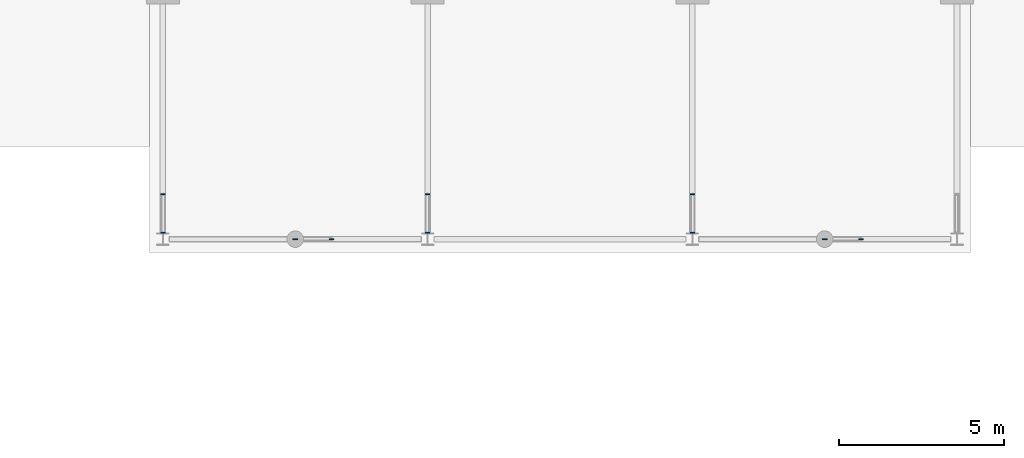
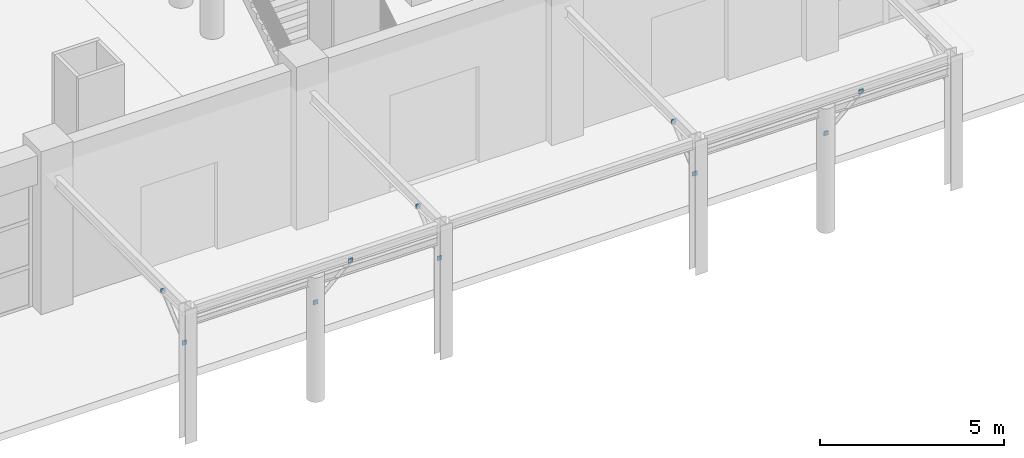
# One storey, part 67 of 95: 10 plates.
"""IFC4 building model written with IfcOpenShell, lengths in metres."""

from ifc_helpers import new_model, si_unit, direction, frame, origin, origin_2d, place, context, subcontext, project, spatial, rectangle, extrude, material, layer, layer_set, type_object, element, save


model = new_model("IFC4")

# Units and contexts
model_context = context("Model", 3, precision=1e-05, world=origin(), true_north=direction((0.0, 1.0)))
body_context = subcontext(model_context, "Body", "Model", "MODEL_VIEW")
ifc_project = project(units=[si_unit("LENGTHUNIT", "METRE"), si_unit("AREAUNIT", "SQUARE_METRE"), si_unit("VOLUMEUNIT", "CUBIC_METRE"), si_unit("PLANEANGLEUNIT", "RADIAN"), si_unit("MASSUNIT", "GRAM", prefix="KILO")], contexts=[model_context])

# Site, building, storey
site_placement = place(None, origin())
site = spatial("IfcSite", under=ifc_project, at=site_placement, CompositionType="ELEMENT")
building_placement = place(site_placement, origin())
building = spatial("IfcBuilding", under=site, at=building_placement, Name="Zantavel Square City Hall", CompositionType="ELEMENT")
storey_placement = place(building_placement, origin())
storey = spatial("IfcBuildingStorey", under=building, at=storey_placement, Name="L01", CompositionType="ELEMENT", Elevation=0.0)

# Plates
ifc_material = material(Name="Steel ASTM A572 Grade 50", Category="steel")
ifc_layer = layer(ifc_material, 0.011962890625, Name="Steel ASTM A572 Grade 50")
ifc_layer_set = layer_set([ifc_layer], Name="Steel ASTM A572 Grade 50")
plate_type = type_object("IfcPlateType", Name="CHS 114 End Cap Plate 12mm", PredefinedType="SHEET", material=ifc_layer_set)
for number, where, z_axis, x_axis, name in (
    (1, (72.0, 22.989990234375, 3.0302734375), (0.0, 0.0, 1.0), (1.0, 0.0, 0.0), "Canopy Strut Cap Plate 72-1"),
    (2, (72.0, 24.14990234375, 4.05517578125), (0.0, 0.0, 1.0), (1.0, 0.0, 0.0), "Canopy Strut Cap Plate 72-2"),
    (3, (80.0, 22.989990234375, 3.0302734375), (0.0, 0.0, 1.0), (1.0, 0.0, 0.0), "Canopy Strut Cap Plate 80-1"),
    (4, (80.0, 24.14990234375, 4.05517578125), (0.0, 0.0, 1.0), (1.0, 0.0, 0.0), "Canopy Strut Cap Plate 80-2"),
    (5, (88.0, 22.989990234375, 3.0302734375), (0.0, 0.0, 1.0), (1.0, 0.0, 0.0), "Canopy Strut Cap Plate 88-1"),
    (6, (88.0, 24.14990234375, 4.05517578125), (0.0, 0.0, 1.0), (1.0, 0.0, 0.0), "Canopy Strut Cap Plate 88-2"),
    (7, (76.0, 22.800048828125, 3.080078125), (0.0, 0.0, 1.0), (1.0, 0.0, 0.0), "Portico Strut Cap 76-1"),
    (8, (77.10009765625, 22.800048828125, 4.0869140625), (0.0, 0.0, 1.0), (1.0, 0.0, 0.0), "Portico Strut Cap 76-2"),
    (9, (92.0, 22.800048828125, 3.080078125), (0.0, 0.0, 1.0), (1.0, 0.0, 0.0), "Portico Strut Cap 92-1"),
    (10, (93.10009765625, 22.800048828125, 4.0869140625), (0.0, 0.0, 1.0), (1.0, 0.0, 0.0), "Portico Strut Cap 92-2"),
):
    element("IfcPlate", number, at=place(storey_placement, frame(where, z_axis=z_axis, x_axis=x_axis)), inside=storey, type_object=plate_type, Name=name, PredefinedType="SHEET", context=body_context, shape_type="SweptSolid", body=[
        extrude(rectangle(XDim=0.139892578125, YDim=0.030029296875, at=origin_2d()), origin(), (0.0, 0.0, 1.0), 0.139892578125),
    ])

save(model, "model.ifc")
